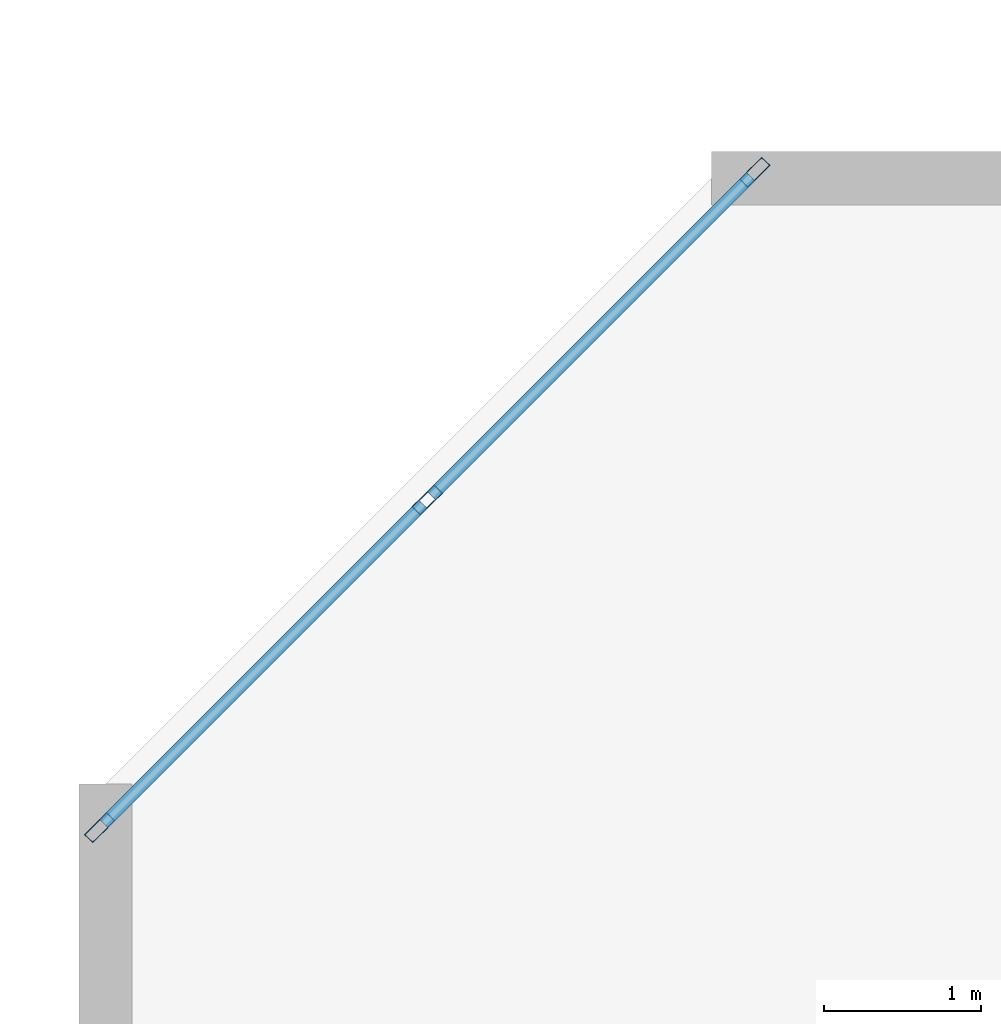
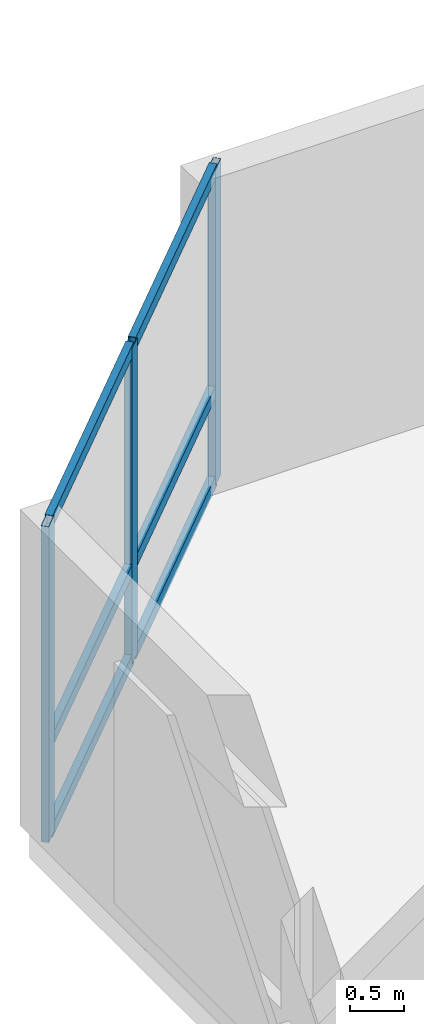
# One storey, part 3 of 12: 9 members, 1 element without a shape of its own.
"""IFC4 building model written with IfcOpenShell, lengths in metres."""

from ifc_helpers import new_model, si_unit, direction, frame, origin, origin_2d, place, context, subcontext, project, spatial, hollow_rectangle, extrude, material, layer, layer_set, material_profile, profile_set, type_object, element, aggregate, save


model = new_model("IFC4")

# Units and contexts
model_context = context("Model", 3, precision=1e-05, world=origin(), true_north=direction((0.0, 1.0)))
body_context = subcontext(model_context, "Body", "Model", "MODEL_VIEW")
ifc_project = project(units=[si_unit("LENGTHUNIT", "METRE"), si_unit("AREAUNIT", "SQUARE_METRE"), si_unit("VOLUMEUNIT", "CUBIC_METRE"), si_unit("PLANEANGLEUNIT", "RADIAN"), si_unit("MASSUNIT", "GRAM", prefix="KILO")], contexts=[model_context])

# Site, building, storey
site_placement = place(None, origin())
site = spatial("IfcSite", under=ifc_project, at=site_placement, CompositionType="ELEMENT")
building_placement = place(site_placement, origin())
building = spatial("IfcBuilding", under=site, at=building_placement, Name="Kestravale Grand Hotel", CompositionType="ELEMENT")
storey_placement = place(building_placement, frame((0.0, 0.0, 64.0)))
storey = spatial("IfcBuildingStorey", under=building, at=storey_placement, Name="L15", CompositionType="ELEMENT", Elevation=64.0)

# Curtain wall, members
ifc_material_1 = material(Name="Thermally broken champagne-bronze aluminium and low-E glazing", Category="aluminium")
ifc_layer = layer(ifc_material_1, 0.199951171875)
ifc_layer_set = layer_set([ifc_layer], Name="CW-Z1")
curtain_wall_type = type_object("IfcCurtainWallType", Name="CW-Z1", PredefinedType="NOTDEFINED", material=ifc_layer_set)
curtain_wall_placement = place(storey_placement, origin())
curtain_wall = element("IfcCurtainWall", 1, at=curtain_wall_placement, inside=storey, type_object=curtain_wall_type, Name="L15 unitised curtain wall 18", PredefinedType="NOTDEFINED")
ifc_material_2 = material(Name="Aluminium 6063-T6 anodised", Category="aluminium")
ifc_material_profile_1 = material_profile(ifc_material_2, hollow_rectangle(XDim=0.074951171875, YDim=0.199951171875, WallThickness=0.00390625, at=origin_2d()))
ifc_profile_set_1 = profile_set([ifc_material_profile_1], Name="Aluminium 6063-T6 anodised")
member_type_1 = type_object("IfcMemberType", Name="CW-MUL-200", PredefinedType="MULLION", material=ifc_profile_set_1)
member_1_placement = place(storey_placement, frame((6.707763671875, 46.0673828125, 0.0), z_axis=(0.0, 0.0, 1.0), x_axis=(0.707106781187, -0.707106781187, 0.0)))
member_1 = element("IfcMember", 2, at=member_1_placement, type_object=member_type_1, Name="CW-Z1 mullion 1", PredefinedType="MULLION", context=body_context, shape_type="SweptSolid", body=[
    extrude(hollow_rectangle(XDim=0.074951171875, YDim=0.199951171875, WallThickness=0.00390625, at=origin_2d()), origin(), (0.0, 0.0, 1.0), 3.5400390625),
])
member_2_placement = place(storey_placement, frame((4.6201171875, 43.979736328125, 0.0), z_axis=(0.0, 0.0, 1.0), x_axis=(0.707106781187, -0.707106781187, 0.0)))
member_2 = element("IfcMember", 3, at=member_2_placement, type_object=member_type_1, Name="CW-Z1 mullion 2", PredefinedType="MULLION", context=body_context, shape_type="SweptSolid", body=[
    extrude(hollow_rectangle(XDim=0.074951171875, YDim=0.199951171875, WallThickness=0.00390625, at=origin_2d()), origin(), (0.0, 0.0, 1.0), 3.5400390625),
])
member_3_placement = place(storey_placement, frame((2.532470703125, 41.89208984375, 0.0), z_axis=(0.0, 0.0, 1.0), x_axis=(0.707106781187, -0.707106781187, 0.0)))
member_3 = element("IfcMember", 4, at=member_3_placement, type_object=member_type_1, Name="CW-Z1 mullion 3", PredefinedType="MULLION", context=body_context, shape_type="SweptSolid", body=[
    extrude(hollow_rectangle(XDim=0.074951171875, YDim=0.199951171875, WallThickness=0.00390625, at=origin_2d()), origin(), (0.0, 0.0, 1.0), 3.5400390625),
])
ifc_material_3 = material(Name="Aluminium 6063-T6 anodised", Category="aluminium")
ifc_material_profile_2 = material_profile(ifc_material_3, hollow_rectangle(XDim=0.074951171875, YDim=0.139892578125, WallThickness=0.00341796875, at=origin_2d()))
ifc_profile_set_2 = profile_set([ifc_material_profile_2], Name="Aluminium 6063-T6 anodised")
member_type_2 = type_object("IfcMemberType", Name="CW-TRN-140", PredefinedType="USERDEFINED", material=ifc_profile_set_2)
member_4_placement = place(storey_placement, frame((6.681396484375, 46.041015625, 0.03759765625), z_axis=(-0.707106781187, -0.707106781187, 0.0), x_axis=(0.707106781187, -0.707106781187, 0.0)))
member_4 = element("IfcMember", 5, at=member_4_placement, type_object=member_type_2, Name="CW-Z1 transom 1.1", ObjectType="TRANSOM", PredefinedType="USERDEFINED", context=body_context, shape_type="SweptSolid", body=[
    extrude(hollow_rectangle(XDim=0.074951171875, YDim=0.139892578125, WallThickness=0.00341796875, at=origin_2d()), origin(), (0.0, 0.0, 1.0), 2.87744140625),
])
member_5_placement = place(storey_placement, frame((6.681396484375, 46.041015625, 1.050048828125), z_axis=(-0.707106781187, -0.707106781187, 0.0), x_axis=(0.707106781187, -0.707106781187, 0.0)))
member_5 = element("IfcMember", 6, at=member_5_placement, type_object=member_type_2, Name="CW-Z1 transom 1.2", ObjectType="TRANSOM", PredefinedType="USERDEFINED", context=body_context, shape_type="SweptSolid", body=[
    extrude(hollow_rectangle(XDim=0.074951171875, YDim=0.139892578125, WallThickness=0.00341796875, at=origin_2d()), origin(), (0.0, 0.0, 1.0), 2.87744140625),
])
member_6_placement = place(storey_placement, frame((6.681396484375, 46.041015625, 3.50244140625), z_axis=(-0.707106781187, -0.707106781187, 0.0), x_axis=(0.707106781187, -0.707106781187, 0.0)))
member_6 = element("IfcMember", 7, at=member_6_placement, type_object=member_type_2, Name="CW-Z1 transom 1.3", ObjectType="TRANSOM", PredefinedType="USERDEFINED", context=body_context, shape_type="SweptSolid", body=[
    extrude(hollow_rectangle(XDim=0.074951171875, YDim=0.139892578125, WallThickness=0.00341796875, at=origin_2d()), origin(), (0.0, 0.0, 1.0), 2.87744140625),
])
member_7_placement = place(storey_placement, frame((4.59375, 43.953369140625, 0.03759765625), z_axis=(-0.707106781187, -0.707106781187, 0.0), x_axis=(0.707106781187, -0.707106781187, 0.0)))
member_7 = element("IfcMember", 8, at=member_7_placement, type_object=member_type_2, Name="CW-Z1 transom 2.1", ObjectType="TRANSOM", PredefinedType="USERDEFINED", context=body_context, shape_type="SweptSolid", body=[
    extrude(hollow_rectangle(XDim=0.074951171875, YDim=0.139892578125, WallThickness=0.00341796875, at=origin_2d()), origin(), (0.0, 0.0, 1.0), 2.87744140625),
])
member_8_placement = place(storey_placement, frame((4.59375, 43.953369140625, 1.050048828125), z_axis=(-0.707106781187, -0.707106781187, 0.0), x_axis=(0.707106781187, -0.707106781187, 0.0)))
member_8 = element("IfcMember", 9, at=member_8_placement, type_object=member_type_2, Name="CW-Z1 transom 2.2", ObjectType="TRANSOM", PredefinedType="USERDEFINED", context=body_context, shape_type="SweptSolid", body=[
    extrude(hollow_rectangle(XDim=0.074951171875, YDim=0.139892578125, WallThickness=0.00341796875, at=origin_2d()), origin(), (0.0, 0.0, 1.0), 2.87744140625),
])
member_9_placement = place(storey_placement, frame((4.59375, 43.953369140625, 3.50244140625), z_axis=(-0.707106781187, -0.707106781187, 0.0), x_axis=(0.707106781187, -0.707106781187, 0.0)))
member_9 = element("IfcMember", 10, at=member_9_placement, type_object=member_type_2, Name="CW-Z1 transom 2.3", ObjectType="TRANSOM", PredefinedType="USERDEFINED", context=body_context, shape_type="SweptSolid", body=[
    extrude(hollow_rectangle(XDim=0.074951171875, YDim=0.139892578125, WallThickness=0.00341796875, at=origin_2d()), origin(), (0.0, 0.0, 1.0), 2.87744140625),
])
aggregate(curtain_wall, [member_1, member_2, member_3, member_4, member_5, member_6, member_7, member_8, member_9])

save(model, "model.ifc")
